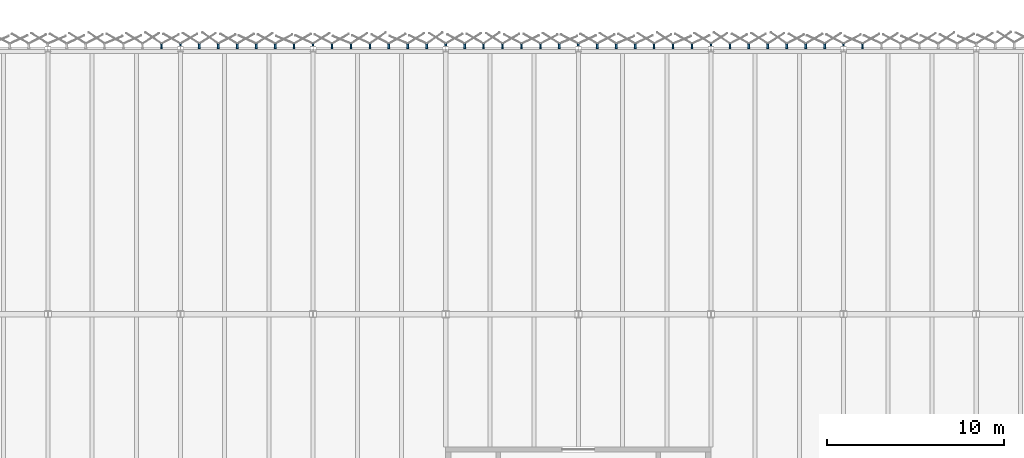
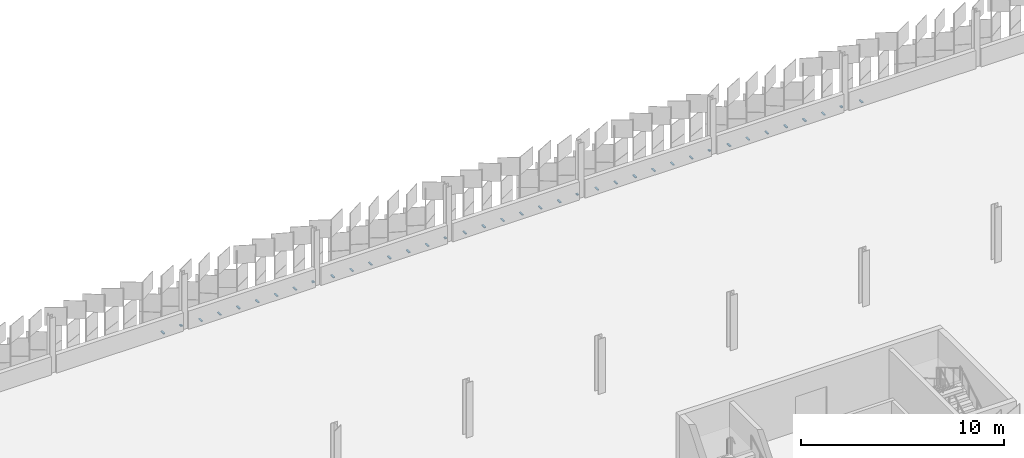
# One storey, part 176 of 198: 38 discrete accessories.
"""IFC4 building model written with IfcOpenShell, lengths in metres."""

from ifc_helpers import new_model, si_unit, direction, frame, origin, origin_2d, place, context, subcontext, project, spatial, rectangle, extrude, material, type_object, element, save


model = new_model("IFC4")

# Units and contexts
model_context = context("Model", 3, precision=1e-05, world=origin(), true_north=direction((0.0, 1.0)))
body_context = subcontext(model_context, "Body", "Model", "MODEL_VIEW")
ifc_project = project(units=[si_unit("LENGTHUNIT", "METRE"), si_unit("AREAUNIT", "SQUARE_METRE"), si_unit("VOLUMEUNIT", "CUBIC_METRE"), si_unit("PLANEANGLEUNIT", "RADIAN"), si_unit("MASSUNIT", "GRAM", prefix="KILO")], contexts=[model_context])

# Site, building, storey
site_placement = place(None, origin())
site = spatial("IfcSite", under=ifc_project, at=site_placement, CompositionType="ELEMENT")
building_placement = place(site_placement, origin())
building = spatial("IfcBuilding", under=site, at=building_placement, Name="Parallax Yard Mobility Hub", CompositionType="ELEMENT")
storey_placement = place(building_placement, frame((0.0, 0.0, 6.60009765625)))
storey = spatial("IfcBuildingStorey", under=building, at=storey_placement, Name="L02", CompositionType="ELEMENT", Elevation=6.60009765625)

# Discrete accessories
ifc_material = material(Name="Steel ASTM A36, hot-dip galvanised", Category="steel")
discrete_accessory_type = type_object("IfcDiscreteAccessoryType", Name="Hinge bracket plate 100x50", PredefinedType="BRACKET", material=ifc_material)
discrete_accessory_1_placement = place(storey_placement, frame((151.07080078125, 142.6416015625, -0.02490234375), z_axis=(0.0, 0.0, 1.0), x_axis=(0.0, 1.0, 0.0)))
element("IfcDiscreteAccessory", 1, at=discrete_accessory_1_placement, inside=storey, type_object=discrete_accessory_type, Name="Hinge bracket plate bay 53.7 level L02", PredefinedType="BRACKET", context=body_context, shape_type="SweptSolid", body=[
    extrude(rectangle(XDim=0.2841796875, YDim=0.10009765625, at=origin_2d()), origin(), (0.0, 0.0, 1.0), 0.050048828125),
])
discrete_accessory_2_placement = place(storey_placement, frame((149.999267578125, 142.71826171875, -0.02490234375), z_axis=(0.0, 0.0, 1.0), x_axis=(0.0, 1.0, 0.0)))
element("IfcDiscreteAccessory", 2, at=discrete_accessory_2_placement, inside=storey, type_object=discrete_accessory_type, Name="Hinge bracket plate bay 54.1 level L02", PredefinedType="BRACKET", context=body_context, shape_type="SweptSolid", body=[
    extrude(rectangle(XDim=0.130615234375, YDim=0.10009765625, at=origin_2d()), origin(), (0.0, 0.0, 1.0), 0.050048828125),
])
for number, where, z_axis, x_axis, name in (
    (3, (148.927490234375, 142.6416015625, -0.02490234375), (0.0, 0.0, 1.0), (0.0, 1.0, 0.0), "Hinge bracket plate bay 54.2 level L02"),
    (4, (147.856201171875, 142.6416015625, -0.02490234375), (0.0, 0.0, 1.0), (0.0, 1.0, 0.0), "Hinge bracket plate bay 54.3 level L02"),
    (5, (146.784423828125, 142.6416015625, -0.02490234375), (0.0, 0.0, 1.0), (0.0, 1.0, 0.0), "Hinge bracket plate bay 54.4 level L02"),
    (6, (145.712890625, 142.6416015625, -0.02490234375), (0.0, 0.0, 1.0), (0.0, 1.0, 0.0), "Hinge bracket plate bay 54.5 level L02"),
    (7, (144.641357421875, 142.6416015625, -0.02490234375), (0.0, 0.0, 1.0), (0.0, 1.0, 0.0), "Hinge bracket plate bay 54.6 level L02"),
    (8, (143.56982421875, 142.6416015625, -0.02490234375), (0.0, 0.0, 1.0), (0.0, 1.0, 0.0), "Hinge bracket plate bay 54.7 level L02"),
):
    element("IfcDiscreteAccessory", number, at=place(storey_placement, frame(where, z_axis=z_axis, x_axis=x_axis)), inside=storey, type_object=discrete_accessory_type, Name=name, PredefinedType="BRACKET", context=body_context, shape_type="SweptSolid", body=[
        extrude(rectangle(XDim=0.2841796875, YDim=0.10009765625, at=origin_2d()), origin(), (0.0, 0.0, 1.0), 0.050048828125),
    ])
discrete_accessory_3_placement = place(storey_placement, frame((142.498291015625, 142.71826171875, -0.02490234375), z_axis=(0.0, 0.0, 1.0), x_axis=(0.0, 1.0, 0.0)))
element("IfcDiscreteAccessory", 9, at=discrete_accessory_3_placement, inside=storey, type_object=discrete_accessory_type, Name="Hinge bracket plate bay 55.1 level L02", PredefinedType="BRACKET", context=body_context, shape_type="SweptSolid", body=[
    extrude(rectangle(XDim=0.130615234375, YDim=0.10009765625, at=origin_2d()), origin(), (0.0, 0.0, 1.0), 0.050048828125),
])
for number, where, z_axis, x_axis, name in (
    (10, (141.4267578125, 142.6416015625, -0.02490234375), (0.0, 0.0, 1.0), (0.0, 1.0, 0.0), "Hinge bracket plate bay 55.2 level L02"),
    (11, (140.355224609375, 142.6416015625, -0.02490234375), (0.0, 0.0, 1.0), (0.0, 1.0, 0.0), "Hinge bracket plate bay 55.3 level L02"),
    (12, (139.28369140625, 142.6416015625, -0.02490234375), (0.0, 0.0, 1.0), (0.0, 1.0, 0.0), "Hinge bracket plate bay 55.4 level L02"),
    (13, (138.212158203125, 142.6416015625, -0.02490234375), (0.0, 0.0, 1.0), (0.0, 1.0, 0.0), "Hinge bracket plate bay 55.5 level L02"),
    (14, (137.140380859375, 142.6416015625, -0.02490234375), (0.0, 0.0, 1.0), (0.0, 1.0, 0.0), "Hinge bracket plate bay 55.6 level L02"),
    (15, (136.069091796875, 142.6416015625, -0.02490234375), (0.0, 0.0, 1.0), (0.0, 1.0, 0.0), "Hinge bracket plate bay 55.7 level L02"),
):
    element("IfcDiscreteAccessory", number, at=place(storey_placement, frame(where, z_axis=z_axis, x_axis=x_axis)), inside=storey, type_object=discrete_accessory_type, Name=name, PredefinedType="BRACKET", context=body_context, shape_type="SweptSolid", body=[
        extrude(rectangle(XDim=0.2841796875, YDim=0.10009765625, at=origin_2d()), origin(), (0.0, 0.0, 1.0), 0.050048828125),
    ])
discrete_accessory_4_placement = place(storey_placement, frame((134.997314453125, 142.71826171875, -0.02490234375), z_axis=(0.0, 0.0, 1.0), x_axis=(0.0, 1.0, 0.0)))
element("IfcDiscreteAccessory", 16, at=discrete_accessory_4_placement, inside=storey, type_object=discrete_accessory_type, Name="Hinge bracket plate bay 56.1 level L02", PredefinedType="BRACKET", context=body_context, shape_type="SweptSolid", body=[
    extrude(rectangle(XDim=0.130615234375, YDim=0.10009765625, at=origin_2d()), origin(), (0.0, 0.0, 1.0), 0.050048828125),
])
for number, where, z_axis, x_axis, name in (
    (17, (133.92578125, 142.6416015625, -0.02490234375), (0.0, 0.0, 1.0), (0.0, 1.0, 0.0), "Hinge bracket plate bay 56.2 level L02"),
    (18, (132.854248046875, 142.6416015625, -0.02490234375), (0.0, 0.0, 1.0), (0.0, 1.0, 0.0), "Hinge bracket plate bay 56.3 level L02"),
    (19, (131.78271484375, 142.6416015625, -0.02490234375), (0.0, 0.0, 1.0), (0.0, 1.0, 0.0), "Hinge bracket plate bay 56.4 level L02"),
    (20, (130.711181640625, 142.6416015625, -0.02490234375), (0.0, 0.0, 1.0), (0.0, 1.0, 0.0), "Hinge bracket plate bay 56.5 level L02"),
    (21, (129.6396484375, 142.6416015625, -0.02490234375), (0.0, 0.0, 1.0), (0.0, 1.0, 0.0), "Hinge bracket plate bay 56.6 level L02"),
    (22, (128.568115234375, 142.6416015625, -0.02490234375), (0.0, 0.0, 1.0), (0.0, 1.0, 0.0), "Hinge bracket plate bay 56.7 level L02"),
):
    element("IfcDiscreteAccessory", number, at=place(storey_placement, frame(where, z_axis=z_axis, x_axis=x_axis)), inside=storey, type_object=discrete_accessory_type, Name=name, PredefinedType="BRACKET", context=body_context, shape_type="SweptSolid", body=[
        extrude(rectangle(XDim=0.2841796875, YDim=0.10009765625, at=origin_2d()), origin(), (0.0, 0.0, 1.0), 0.050048828125),
    ])
discrete_accessory_5_placement = place(storey_placement, frame((127.49658203125, 142.71826171875, -0.02490234375), z_axis=(0.0, 0.0, 1.0), x_axis=(0.0, 1.0, 0.0)))
element("IfcDiscreteAccessory", 23, at=discrete_accessory_5_placement, inside=storey, type_object=discrete_accessory_type, Name="Hinge bracket plate bay 57.1 level L02", PredefinedType="BRACKET", context=body_context, shape_type="SweptSolid", body=[
    extrude(rectangle(XDim=0.130615234375, YDim=0.10009765625, at=origin_2d()), origin(), (0.0, 0.0, 1.0), 0.050048828125),
])
for number, where, z_axis, x_axis, name in (
    (24, (126.425048828125, 142.6416015625, -0.02490234375), (0.0, 0.0, 1.0), (0.0, 1.0, 0.0), "Hinge bracket plate bay 57.2 level L02"),
    (25, (125.353515625, 142.6416015625, -0.02490234375), (0.0, 0.0, 1.0), (0.0, 1.0, 0.0), "Hinge bracket plate bay 57.3 level L02"),
    (26, (124.281982421875, 142.6416015625, -0.02490234375), (0.0, 0.0, 1.0), (0.0, 1.0, 0.0), "Hinge bracket plate bay 57.4 level L02"),
    (27, (123.210205078125, 142.6416015625, -0.02490234375), (0.0, 0.0, 1.0), (0.0, 1.0, 0.0), "Hinge bracket plate bay 57.5 level L02"),
    (28, (122.138916015625, 142.6416015625, -0.02490234375), (0.0, 0.0, 1.0), (0.0, 1.0, 0.0), "Hinge bracket plate bay 57.6 level L02"),
    (29, (121.067138671875, 142.6416015625, -0.02490234375), (0.0, 0.0, 1.0), (0.0, 1.0, 0.0), "Hinge bracket plate bay 57.7 level L02"),
):
    element("IfcDiscreteAccessory", number, at=place(storey_placement, frame(where, z_axis=z_axis, x_axis=x_axis)), inside=storey, type_object=discrete_accessory_type, Name=name, PredefinedType="BRACKET", context=body_context, shape_type="SweptSolid", body=[
        extrude(rectangle(XDim=0.2841796875, YDim=0.10009765625, at=origin_2d()), origin(), (0.0, 0.0, 1.0), 0.050048828125),
    ])
discrete_accessory_6_placement = place(storey_placement, frame((119.99560546875, 142.71826171875, -0.02490234375), z_axis=(0.0, 0.0, 1.0), x_axis=(0.0, 1.0, 0.0)))
element("IfcDiscreteAccessory", 30, at=discrete_accessory_6_placement, inside=storey, type_object=discrete_accessory_type, Name="Hinge bracket plate bay 58.1 level L02", PredefinedType="BRACKET", context=body_context, shape_type="SweptSolid", body=[
    extrude(rectangle(XDim=0.130615234375, YDim=0.10009765625, at=origin_2d()), origin(), (0.0, 0.0, 1.0), 0.050048828125),
])
for number, where, z_axis, x_axis, name in (
    (31, (118.924072265625, 142.6416015625, -0.02490234375), (0.0, 0.0, 1.0), (0.0, 1.0, 0.0), "Hinge bracket plate bay 58.2 level L02"),
    (32, (117.8525390625, 142.6416015625, -0.02490234375), (0.0, 0.0, 1.0), (0.0, 1.0, 0.0), "Hinge bracket plate bay 58.3 level L02"),
    (33, (116.781005859375, 142.6416015625, -0.02490234375), (0.0, 0.0, 1.0), (0.0, 1.0, 0.0), "Hinge bracket plate bay 58.4 level L02"),
    (34, (115.70947265625, 142.6416015625, -0.02490234375), (0.0, 0.0, 1.0), (0.0, 1.0, 0.0), "Hinge bracket plate bay 58.5 level L02"),
    (35, (114.637939453125, 142.6416015625, -0.02490234375), (0.0, 0.0, 1.0), (0.0, 1.0, 0.0), "Hinge bracket plate bay 58.6 level L02"),
    (36, (113.56640625, 142.6416015625, -0.02490234375), (0.0, 0.0, 1.0), (0.0, 1.0, 0.0), "Hinge bracket plate bay 58.7 level L02"),
):
    element("IfcDiscreteAccessory", number, at=place(storey_placement, frame(where, z_axis=z_axis, x_axis=x_axis)), inside=storey, type_object=discrete_accessory_type, Name=name, PredefinedType="BRACKET", context=body_context, shape_type="SweptSolid", body=[
        extrude(rectangle(XDim=0.2841796875, YDim=0.10009765625, at=origin_2d()), origin(), (0.0, 0.0, 1.0), 0.050048828125),
    ])
discrete_accessory_7_placement = place(storey_placement, frame((112.494873046875, 142.71826171875, -0.02490234375), z_axis=(0.0, 0.0, 1.0), x_axis=(0.0, 1.0, 0.0)))
element("IfcDiscreteAccessory", 37, at=discrete_accessory_7_placement, inside=storey, type_object=discrete_accessory_type, Name="Hinge bracket plate bay 59.1 level L02", PredefinedType="BRACKET", context=body_context, shape_type="SweptSolid", body=[
    extrude(rectangle(XDim=0.130615234375, YDim=0.10009765625, at=origin_2d()), origin(), (0.0, 0.0, 1.0), 0.050048828125),
])
discrete_accessory_8_placement = place(storey_placement, frame((111.423095703125, 142.6416015625, -0.02490234375), z_axis=(0.0, 0.0, 1.0), x_axis=(0.0, 1.0, 0.0)))
element("IfcDiscreteAccessory", 38, at=discrete_accessory_8_placement, inside=storey, type_object=discrete_accessory_type, Name="Hinge bracket plate bay 59.2 level L02", PredefinedType="BRACKET", context=body_context, shape_type="SweptSolid", body=[
    extrude(rectangle(XDim=0.2841796875, YDim=0.10009765625, at=origin_2d()), origin(), (0.0, 0.0, 1.0), 0.050048828125),
])

save(model, "model.ifc")
